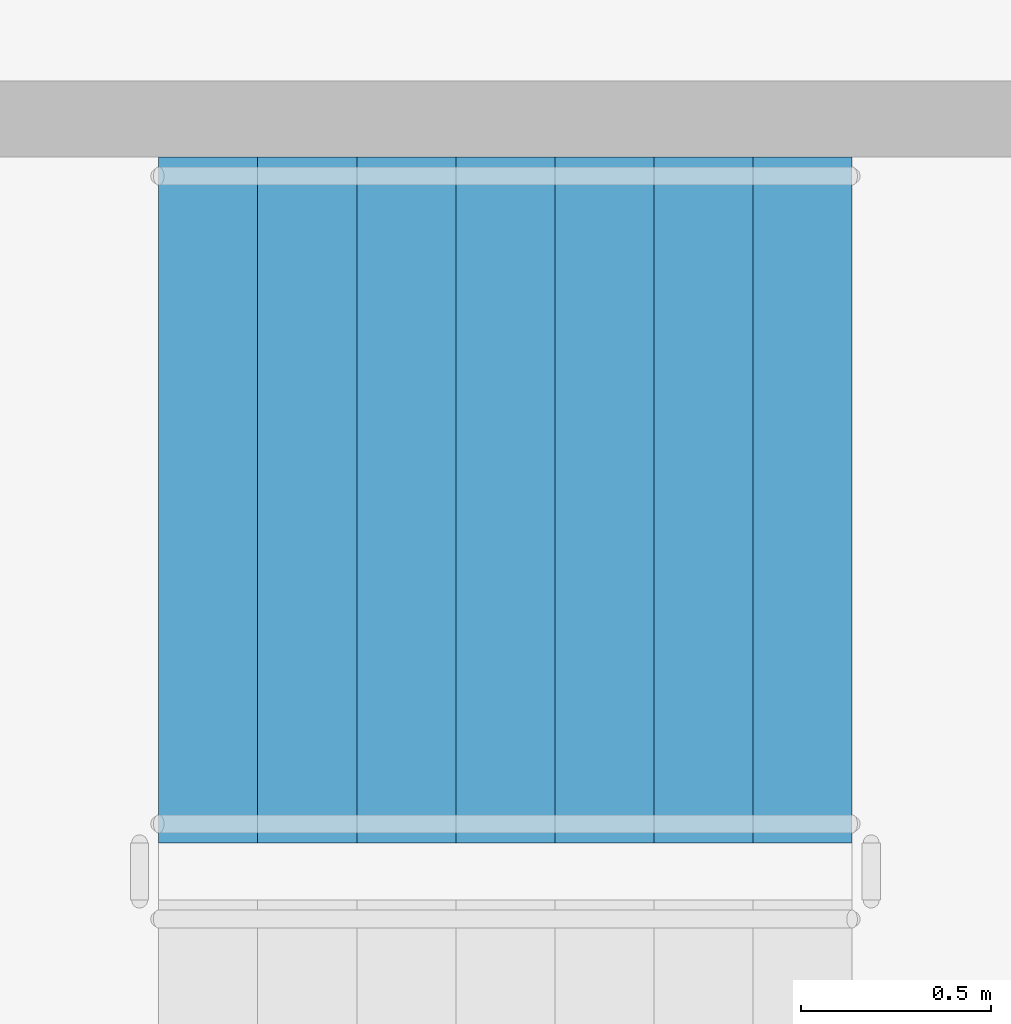
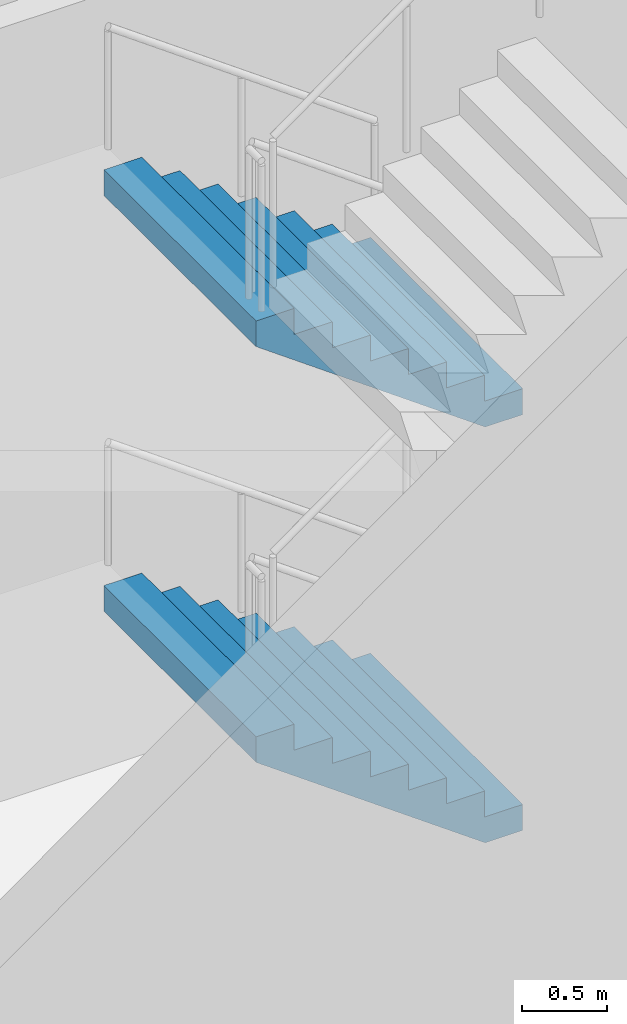
# One storey, part 57 of 75: 2 stair flights, 1 element without a shape of its own.
"""IFC4 building model written with IfcOpenShell, lengths in metres."""

from ifc_helpers import new_model, si_unit, direction, frame, origin, place, context, subcontext, project, spatial, faceted_brep, material, type_object, element, aggregate, save


model = new_model("IFC4")

# Units and contexts
model_context = context("Model", 3, precision=1e-05, world=origin(), true_north=direction((0.0, 1.0)))
body_context = subcontext(model_context, "Body", "Model", "MODEL_VIEW")
ifc_project = project(units=[si_unit("LENGTHUNIT", "METRE"), si_unit("AREAUNIT", "SQUARE_METRE"), si_unit("VOLUMEUNIT", "CUBIC_METRE"), si_unit("PLANEANGLEUNIT", "RADIAN"), si_unit("MASSUNIT", "GRAM", prefix="KILO")], contexts=[model_context])

# Site, building, storey
site_placement = place(None, origin())
site = spatial("IfcSite", under=ifc_project, at=site_placement, CompositionType="ELEMENT")
building_placement = place(site_placement, origin())
building = spatial("IfcBuilding", under=site, at=building_placement, Name="Ipe Terrace Towers", CompositionType="ELEMENT")
storey_placement = place(building_placement, origin())
storey = spatial("IfcBuildingStorey", under=building, at=storey_placement, Name="L00", CompositionType="ELEMENT", Elevation=0.0)

# Stair, stair flights
ifc_material_1 = material(Name="Concrete C30/37", Category="concrete")
stair_type = type_object("IfcStairType", Name="Protected exit stair", PredefinedType="HALF_TURN_STAIR", material=ifc_material_1)
stair_placement = place(storey_placement, origin())
stair = element("IfcStair", 1, at=stair_placement, inside=storey, type_object=stair_type, Name="L00 Podium exit stair PS2", PredefinedType="HALF_TURN_STAIR")
ifc_material_2 = material(Name="Concrete C30/37", Category="concrete")
stair_flight_type = type_object("IfcStairFlightType", Name="Exit stair flight 1800", PredefinedType="STRAIGHT", material=ifc_material_2)
stair_flight_1_placement = place(storey_placement, frame((-0.75, 25.5, 0.0), z_axis=(0.0, 0.0, 1.0), x_axis=(-1.0, 0.0, 0.0)))
stair_flight_1 = element("IfcStairFlight", 2, at=stair_flight_1_placement, type_object=stair_flight_type, Name="PS2 flight 1", NumberOfRisers=8, NumberOfTreads=7, PredefinedType="STRAIGHT", RiserHeight=0.1875, TreadLength=0.26, context=body_context, shape_type="Brep", body=[
    faceted_brep([(0.25634765625, -0.89990234375, 0.0), (1.820068359375, -0.89990234375, 1.127685546875), (1.820068359375, -0.89990234375, 1.3125), (1.56005859375, -0.89990234375, 1.3125), (1.56005859375, -0.89990234375, 1.125), (1.300048828125, -0.89990234375, 1.125), (1.300048828125, -0.89990234375, 0.9375), (1.0400390625, -0.89990234375, 0.9375), (1.0400390625, -0.89990234375, 0.75), (0.780029296875, -0.89990234375, 0.75), (0.780029296875, -0.89990234375, 0.5625), (0.52001953125, -0.89990234375, 0.5625), (0.52001953125, -0.89990234375, 0.375), (0.260009765625, -0.89990234375, 0.375), (0.260009765625, -0.89990234375, 0.1875), (0.0, -0.89990234375, 0.1875), (0.0, -0.89990234375, 0.0), (0.0, 0.89990234375, 0.0), (0.0, 0.89990234375, 0.1875), (0.260009765625, 0.89990234375, 0.1875), (0.260009765625, 0.89990234375, 0.375), (0.52001953125, 0.89990234375, 0.375), (0.52001953125, 0.89990234375, 0.5625), (0.780029296875, 0.89990234375, 0.5625), (0.780029296875, 0.89990234375, 0.75), (1.0400390625, 0.89990234375, 0.75), (1.0400390625, 0.89990234375, 0.9375), (1.300048828125, 0.89990234375, 0.9375), (1.300048828125, 0.89990234375, 1.125), (1.56005859375, 0.89990234375, 1.125), (1.56005859375, 0.89990234375, 1.3125), (1.820068359375, 0.89990234375, 1.3125), (1.820068359375, 0.89990234375, 1.127685546875), (0.25634765625, 0.89990234375, 0.0), (0.0, -0.300048828125, 0.1875), (0.0, -0.1201171875, 0.1875), (0.0, -0.06005859375, 0.1875), (0.0, -0.030029296875, 0.1875), (0.0, -0.010009765625, 0.1875), (0.0, 0.0, 0.1875), (0.0, 0.010009765625, 0.1875), (0.0, 0.030029296875, 0.1875), (0.0, 0.06005859375, 0.1875), (0.0, 0.1201171875, 0.1875), (0.0, 0.300048828125, 0.1875), (0.0, 0.300048828125, 0.0), (0.0, 0.1201171875, 0.0), (0.0, 0.06005859375, 0.0), (0.0, 0.030029296875, 0.0), (0.0, 0.010009765625, 0.0), (0.0, 0.0, 0.0), (0.0, -0.010009765625, 0.0), (0.0, -0.030029296875, 0.0), (0.0, -0.06005859375, 0.0), (0.0, -0.1201171875, 0.0), (0.0, -0.300048828125, 0.0), (0.260009765625, -0.300048828125, 0.1875), (0.260009765625, -0.1201171875, 0.1875), (0.260009765625, -0.06005859375, 0.1875), (0.260009765625, -0.030029296875, 0.1875), (0.260009765625, -0.010009765625, 0.1875), (0.260009765625, 0.0, 0.1875), (0.260009765625, 0.010009765625, 0.1875), (0.260009765625, 0.030029296875, 0.1875), (0.260009765625, 0.06005859375, 0.1875), (0.260009765625, 0.1201171875, 0.1875), (0.260009765625, 0.300048828125, 0.1875), (0.260009765625, -0.300048828125, 0.375), (0.260009765625, -0.1201171875, 0.375), (0.260009765625, -0.06005859375, 0.375), (0.260009765625, -0.030029296875, 0.375), (0.260009765625, -0.010009765625, 0.375), (0.260009765625, 0.0, 0.375), (0.260009765625, 0.010009765625, 0.375), (0.260009765625, 0.030029296875, 0.375), (0.260009765625, 0.06005859375, 0.375), (0.260009765625, 0.1201171875, 0.375), (0.260009765625, 0.300048828125, 0.375), (0.52001953125, -0.300048828125, 0.375), (0.52001953125, -0.1201171875, 0.375), (0.52001953125, -0.06005859375, 0.375), (0.52001953125, -0.030029296875, 0.375), (0.52001953125, -0.010009765625, 0.375), (0.52001953125, 0.0, 0.375), (0.52001953125, 0.010009765625, 0.375), (0.52001953125, 0.030029296875, 0.375), (0.52001953125, 0.06005859375, 0.375), (0.52001953125, 0.1201171875, 0.375), (0.52001953125, 0.300048828125, 0.375), (0.52001953125, -0.300048828125, 0.5625), (0.52001953125, -0.1201171875, 0.5625), (0.52001953125, -0.06005859375, 0.5625), (0.52001953125, -0.030029296875, 0.5625), (0.52001953125, -0.010009765625, 0.5625), (0.52001953125, 0.0, 0.5625), (0.52001953125, 0.010009765625, 0.5625), (0.52001953125, 0.030029296875, 0.5625), (0.52001953125, 0.06005859375, 0.5625), (0.52001953125, 0.1201171875, 0.5625), (0.52001953125, 0.300048828125, 0.5625), (0.780029296875, -0.300048828125, 0.5625), (0.780029296875, -0.1201171875, 0.5625), (0.780029296875, -0.06005859375, 0.5625), (0.780029296875, -0.030029296875, 0.5625), (0.780029296875, -0.010009765625, 0.5625), (0.780029296875, 0.0, 0.5625), (0.780029296875, 0.010009765625, 0.5625), (0.780029296875, 0.030029296875, 0.5625), (0.780029296875, 0.06005859375, 0.5625), (0.780029296875, 0.1201171875, 0.5625), (0.780029296875, 0.300048828125, 0.5625), (0.780029296875, -0.300048828125, 0.75), (0.780029296875, -0.1201171875, 0.75), (0.780029296875, -0.06005859375, 0.75), (0.780029296875, -0.030029296875, 0.75), (0.780029296875, -0.010009765625, 0.75), (0.780029296875, 0.0, 0.75), (0.780029296875, 0.010009765625, 0.75), (0.780029296875, 0.030029296875, 0.75), (0.780029296875, 0.06005859375, 0.75), (0.780029296875, 0.1201171875, 0.75), (0.780029296875, 0.300048828125, 0.75), (1.0400390625, -0.300048828125, 0.75), (1.0400390625, -0.1201171875, 0.75), (1.0400390625, -0.06005859375, 0.75), (1.0400390625, -0.030029296875, 0.75), (1.0400390625, -0.010009765625, 0.75), (1.0400390625, 0.0, 0.75), (1.0400390625, 0.010009765625, 0.75), (1.0400390625, 0.030029296875, 0.75), (1.0400390625, 0.06005859375, 0.75), (1.0400390625, 0.1201171875, 0.75), (1.0400390625, 0.300048828125, 0.75), (1.0400390625, -0.300048828125, 0.9375), (1.0400390625, -0.1201171875, 0.9375), (1.0400390625, -0.06005859375, 0.9375), (1.0400390625, -0.030029296875, 0.9375), (1.0400390625, -0.010009765625, 0.9375), (1.0400390625, 0.0, 0.9375), (1.0400390625, 0.010009765625, 0.9375), (1.0400390625, 0.030029296875, 0.9375), (1.0400390625, 0.06005859375, 0.9375), (1.0400390625, 0.1201171875, 0.9375), (1.0400390625, 0.300048828125, 0.9375), (1.300048828125, -0.300048828125, 0.9375), (1.300048828125, -0.1201171875, 0.9375), (1.300048828125, -0.06005859375, 0.9375), (1.300048828125, -0.030029296875, 0.9375), (1.300048828125, -0.010009765625, 0.9375), (1.300048828125, 0.0, 0.9375), (1.300048828125, 0.010009765625, 0.9375), (1.300048828125, 0.030029296875, 0.9375), (1.300048828125, 0.06005859375, 0.9375), (1.300048828125, 0.1201171875, 0.9375), (1.300048828125, 0.300048828125, 0.9375), (1.300048828125, -0.300048828125, 1.125), (1.300048828125, -0.1201171875, 1.125), (1.300048828125, -0.06005859375, 1.125), (1.300048828125, -0.030029296875, 1.125), (1.300048828125, -0.010009765625, 1.125), (1.300048828125, 0.0, 1.125), (1.300048828125, 0.010009765625, 1.125), (1.300048828125, 0.030029296875, 1.125), (1.300048828125, 0.06005859375, 1.125), (1.300048828125, 0.1201171875, 1.125), (1.300048828125, 0.300048828125, 1.125), (1.56005859375, -0.300048828125, 1.125), (1.56005859375, -0.1201171875, 1.125), (1.56005859375, -0.06005859375, 1.125), (1.56005859375, -0.030029296875, 1.125), (1.56005859375, -0.010009765625, 1.125), (1.56005859375, 0.0, 1.125), (1.56005859375, 0.010009765625, 1.125), (1.56005859375, 0.030029296875, 1.125), (1.56005859375, 0.06005859375, 1.125), (1.56005859375, 0.1201171875, 1.125), (1.56005859375, 0.300048828125, 1.125), (1.56005859375, -0.300048828125, 1.3125), (1.56005859375, -0.1201171875, 1.3125), (1.56005859375, -0.06005859375, 1.3125), (1.56005859375, -0.030029296875, 1.3125), (1.56005859375, -0.010009765625, 1.3125), (1.56005859375, 0.0, 1.3125), (1.56005859375, 0.010009765625, 1.3125), (1.56005859375, 0.030029296875, 1.3125), (1.56005859375, 0.06005859375, 1.3125), (1.56005859375, 0.1201171875, 1.3125), (1.56005859375, 0.300048828125, 1.3125), (1.820068359375, -0.300048828125, 1.3125), (1.820068359375, -0.1201171875, 1.3125), (1.820068359375, -0.06005859375, 1.3125), (1.820068359375, -0.030029296875, 1.3125), (1.820068359375, -0.010009765625, 1.3125), (1.820068359375, 0.0, 1.3125), (1.820068359375, 0.010009765625, 1.3125), (1.820068359375, 0.030029296875, 1.3125), (1.820068359375, 0.06005859375, 1.3125), (1.820068359375, 0.1201171875, 1.3125), (1.820068359375, 0.300048828125, 1.3125), (1.820068359375, -0.300048828125, 1.127685546875), (1.820068359375, -0.1201171875, 1.127685546875), (1.820068359375, -0.06005859375, 1.127685546875), (1.820068359375, -0.030029296875, 1.127685546875), (1.820068359375, -0.010009765625, 1.127685546875), (1.820068359375, 0.0, 1.127685546875), (1.820068359375, 0.010009765625, 1.127685546875), (1.820068359375, 0.030029296875, 1.127685546875), (1.820068359375, 0.06005859375, 1.127685546875), (1.820068359375, 0.1201171875, 1.127685546875), (1.820068359375, 0.300048828125, 1.127685546875), (0.25634765625, -0.300048828125, 0.0), (0.25634765625, -0.1201171875, 0.0), (0.25634765625, -0.06005859375, 0.0), (0.25634765625, -0.030029296875, 0.0), (0.25634765625, -0.010009765625, 0.0), (0.25634765625, 0.0, 0.0), (0.25634765625, 0.010009765625, 0.0), (0.25634765625, 0.030029296875, 0.0), (0.25634765625, 0.06005859375, 0.0), (0.25634765625, 0.1201171875, 0.0), (0.25634765625, 0.300048828125, 0.0)], [[[0, 1, 2, 3, 4, 5, 6, 7, 8, 9, 10, 11, 12, 13, 14, 15, 16]], [[17, 18, 19, 20, 21, 22, 23, 24, 25, 26, 27, 28, 29, 30, 31, 32, 33]], [[15, 34, 35, 36, 37, 38, 39, 40, 41, 42, 43, 44, 18, 17, 45, 46, 47, 48, 49, 50, 51, 52, 53, 54, 55, 16]], [[14, 56, 57, 58, 59, 60, 61, 62, 63, 64, 65, 66, 19, 18, 44, 43, 42, 41, 40, 39, 38, 37, 36, 35, 34, 15]], [[13, 67, 68, 69, 70, 71, 72, 73, 74, 75, 76, 77, 20, 19, 66, 65, 64, 63, 62, 61, 60, 59, 58, 57, 56, 14]], [[12, 78, 79, 80, 81, 82, 83, 84, 85, 86, 87, 88, 21, 20, 77, 76, 75, 74, 73, 72, 71, 70, 69, 68, 67, 13]], [[11, 89, 90, 91, 92, 93, 94, 95, 96, 97, 98, 99, 22, 21, 88, 87, 86, 85, 84, 83, 82, 81, 80, 79, 78, 12]], [[10, 100, 101, 102, 103, 104, 105, 106, 107, 108, 109, 110, 23, 22, 99, 98, 97, 96, 95, 94, 93, 92, 91, 90, 89, 11]], [[9, 111, 112, 113, 114, 115, 116, 117, 118, 119, 120, 121, 24, 23, 110, 109, 108, 107, 106, 105, 104, 103, 102, 101, 100, 10]], [[8, 122, 123, 124, 125, 126, 127, 128, 129, 130, 131, 132, 25, 24, 121, 120, 119, 118, 117, 116, 115, 114, 113, 112, 111, 9]], [[7, 133, 134, 135, 136, 137, 138, 139, 140, 141, 142, 143, 26, 25, 132, 131, 130, 129, 128, 127, 126, 125, 124, 123, 122, 8]], [[6, 144, 145, 146, 147, 148, 149, 150, 151, 152, 153, 154, 27, 26, 143, 142, 141, 140, 139, 138, 137, 136, 135, 134, 133, 7]], [[5, 155, 156, 157, 158, 159, 160, 161, 162, 163, 164, 165, 28, 27, 154, 153, 152, 151, 150, 149, 148, 147, 146, 145, 144, 6]], [[4, 166, 167, 168, 169, 170, 171, 172, 173, 174, 175, 176, 29, 28, 165, 164, 163, 162, 161, 160, 159, 158, 157, 156, 155, 5]], [[3, 177, 178, 179, 180, 181, 182, 183, 184, 185, 186, 187, 30, 29, 176, 175, 174, 173, 172, 171, 170, 169, 168, 167, 166, 4]], [[2, 188, 189, 190, 191, 192, 193, 194, 195, 196, 197, 198, 31, 30, 187, 186, 185, 184, 183, 182, 181, 180, 179, 178, 177, 3]], [[1, 199, 200, 201, 202, 203, 204, 205, 206, 207, 208, 209, 32, 31, 198, 197, 196, 195, 194, 193, 192, 191, 190, 189, 188, 2]], [[0, 210, 211, 212, 213, 214, 215, 216, 217, 218, 219, 220, 33, 32, 209, 208, 207, 206, 205, 204, 203, 202, 201, 200, 199, 1]], [[16, 55, 54, 53, 52, 51, 50, 49, 48, 47, 46, 45, 17, 33, 220, 219, 218, 217, 216, 215, 214, 213, 212, 211, 210, 0]]]),
])
stair_flight_2_placement = place(storey_placement, frame((-0.75, 25.5, 3.0), z_axis=(0.0, 0.0, 1.0), x_axis=(-1.0, 0.0, 0.0)))
stair_flight_2 = element("IfcStairFlight", 3, at=stair_flight_2_placement, type_object=stair_flight_type, Name="PS2 flight 3", NumberOfRisers=8, NumberOfTreads=7, PredefinedType="STRAIGHT", RiserHeight=0.1875, TreadLength=0.26, context=body_context, shape_type="Brep", body=[
    faceted_brep([(0.25634765625, -0.89990234375, 0.0), (1.820068359375, -0.89990234375, 1.127685546875), (1.820068359375, -0.89990234375, 1.3125), (1.56005859375, -0.89990234375, 1.3125), (1.56005859375, -0.89990234375, 1.125), (1.300048828125, -0.89990234375, 1.125), (1.300048828125, -0.89990234375, 0.9375), (1.0400390625, -0.89990234375, 0.9375), (1.0400390625, -0.89990234375, 0.75), (0.780029296875, -0.89990234375, 0.75), (0.780029296875, -0.89990234375, 0.5625), (0.52001953125, -0.89990234375, 0.5625), (0.52001953125, -0.89990234375, 0.375), (0.260009765625, -0.89990234375, 0.375), (0.260009765625, -0.89990234375, 0.1875), (0.0, -0.89990234375, 0.1875), (0.0, -0.89990234375, 0.0), (0.0, 0.89990234375, 0.0), (0.0, 0.89990234375, 0.1875), (0.260009765625, 0.89990234375, 0.1875), (0.260009765625, 0.89990234375, 0.375), (0.52001953125, 0.89990234375, 0.375), (0.52001953125, 0.89990234375, 0.5625), (0.780029296875, 0.89990234375, 0.5625), (0.780029296875, 0.89990234375, 0.75), (1.0400390625, 0.89990234375, 0.75), (1.0400390625, 0.89990234375, 0.9375), (1.300048828125, 0.89990234375, 0.9375), (1.300048828125, 0.89990234375, 1.125), (1.56005859375, 0.89990234375, 1.125), (1.56005859375, 0.89990234375, 1.3125), (1.820068359375, 0.89990234375, 1.3125), (1.820068359375, 0.89990234375, 1.127685546875), (0.25634765625, 0.89990234375, 0.0), (0.0, -0.300048828125, 0.1875), (0.0, -0.1201171875, 0.1875), (0.0, -0.06005859375, 0.1875), (0.0, -0.030029296875, 0.1875), (0.0, -0.010009765625, 0.1875), (0.0, 0.0, 0.1875), (0.0, 0.010009765625, 0.1875), (0.0, 0.030029296875, 0.1875), (0.0, 0.06005859375, 0.1875), (0.0, 0.1201171875, 0.1875), (0.0, 0.300048828125, 0.1875), (0.0, 0.300048828125, 0.0), (0.0, 0.1201171875, 0.0), (0.0, 0.06005859375, 0.0), (0.0, 0.030029296875, 0.0), (0.0, 0.010009765625, 0.0), (0.0, 0.0, 0.0), (0.0, -0.010009765625, 0.0), (0.0, -0.030029296875, 0.0), (0.0, -0.06005859375, 0.0), (0.0, -0.1201171875, 0.0), (0.0, -0.300048828125, 0.0), (0.260009765625, -0.300048828125, 0.1875), (0.260009765625, -0.1201171875, 0.1875), (0.260009765625, -0.06005859375, 0.1875), (0.260009765625, -0.030029296875, 0.1875), (0.260009765625, -0.010009765625, 0.1875), (0.260009765625, 0.0, 0.1875), (0.260009765625, 0.010009765625, 0.1875), (0.260009765625, 0.030029296875, 0.1875), (0.260009765625, 0.06005859375, 0.1875), (0.260009765625, 0.1201171875, 0.1875), (0.260009765625, 0.300048828125, 0.1875), (0.260009765625, -0.300048828125, 0.375), (0.260009765625, -0.1201171875, 0.375), (0.260009765625, -0.06005859375, 0.375), (0.260009765625, -0.030029296875, 0.375), (0.260009765625, -0.010009765625, 0.375), (0.260009765625, 0.0, 0.375), (0.260009765625, 0.010009765625, 0.375), (0.260009765625, 0.030029296875, 0.375), (0.260009765625, 0.06005859375, 0.375), (0.260009765625, 0.1201171875, 0.375), (0.260009765625, 0.300048828125, 0.375), (0.52001953125, -0.300048828125, 0.375), (0.52001953125, -0.1201171875, 0.375), (0.52001953125, -0.06005859375, 0.375), (0.52001953125, -0.030029296875, 0.375), (0.52001953125, -0.010009765625, 0.375), (0.52001953125, 0.0, 0.375), (0.52001953125, 0.010009765625, 0.375), (0.52001953125, 0.030029296875, 0.375), (0.52001953125, 0.06005859375, 0.375), (0.52001953125, 0.1201171875, 0.375), (0.52001953125, 0.300048828125, 0.375), (0.52001953125, -0.300048828125, 0.5625), (0.52001953125, -0.1201171875, 0.5625), (0.52001953125, -0.06005859375, 0.5625), (0.52001953125, -0.030029296875, 0.5625), (0.52001953125, -0.010009765625, 0.5625), (0.52001953125, 0.0, 0.5625), (0.52001953125, 0.010009765625, 0.5625), (0.52001953125, 0.030029296875, 0.5625), (0.52001953125, 0.06005859375, 0.5625), (0.52001953125, 0.1201171875, 0.5625), (0.52001953125, 0.300048828125, 0.5625), (0.780029296875, -0.300048828125, 0.5625), (0.780029296875, -0.1201171875, 0.5625), (0.780029296875, -0.06005859375, 0.5625), (0.780029296875, -0.030029296875, 0.5625), (0.780029296875, -0.010009765625, 0.5625), (0.780029296875, 0.0, 0.5625), (0.780029296875, 0.010009765625, 0.5625), (0.780029296875, 0.030029296875, 0.5625), (0.780029296875, 0.06005859375, 0.5625), (0.780029296875, 0.1201171875, 0.5625), (0.780029296875, 0.300048828125, 0.5625), (0.780029296875, -0.300048828125, 0.75), (0.780029296875, -0.1201171875, 0.75), (0.780029296875, -0.06005859375, 0.75), (0.780029296875, -0.030029296875, 0.75), (0.780029296875, -0.010009765625, 0.75), (0.780029296875, 0.0, 0.75), (0.780029296875, 0.010009765625, 0.75), (0.780029296875, 0.030029296875, 0.75), (0.780029296875, 0.06005859375, 0.75), (0.780029296875, 0.1201171875, 0.75), (0.780029296875, 0.300048828125, 0.75), (1.0400390625, -0.300048828125, 0.75), (1.0400390625, -0.1201171875, 0.75), (1.0400390625, -0.06005859375, 0.75), (1.0400390625, -0.030029296875, 0.75), (1.0400390625, -0.010009765625, 0.75), (1.0400390625, 0.0, 0.75), (1.0400390625, 0.010009765625, 0.75), (1.0400390625, 0.030029296875, 0.75), (1.0400390625, 0.06005859375, 0.75), (1.0400390625, 0.1201171875, 0.75), (1.0400390625, 0.300048828125, 0.75), (1.0400390625, -0.300048828125, 0.9375), (1.0400390625, -0.1201171875, 0.9375), (1.0400390625, -0.06005859375, 0.9375), (1.0400390625, -0.030029296875, 0.9375), (1.0400390625, -0.010009765625, 0.9375), (1.0400390625, 0.0, 0.9375), (1.0400390625, 0.010009765625, 0.9375), (1.0400390625, 0.030029296875, 0.9375), (1.0400390625, 0.06005859375, 0.9375), (1.0400390625, 0.1201171875, 0.9375), (1.0400390625, 0.300048828125, 0.9375), (1.300048828125, -0.300048828125, 0.9375), (1.300048828125, -0.1201171875, 0.9375), (1.300048828125, -0.06005859375, 0.9375), (1.300048828125, -0.030029296875, 0.9375), (1.300048828125, -0.010009765625, 0.9375), (1.300048828125, 0.0, 0.9375), (1.300048828125, 0.010009765625, 0.9375), (1.300048828125, 0.030029296875, 0.9375), (1.300048828125, 0.06005859375, 0.9375), (1.300048828125, 0.1201171875, 0.9375), (1.300048828125, 0.300048828125, 0.9375), (1.300048828125, -0.300048828125, 1.125), (1.300048828125, -0.1201171875, 1.125), (1.300048828125, -0.06005859375, 1.125), (1.300048828125, -0.030029296875, 1.125), (1.300048828125, -0.010009765625, 1.125), (1.300048828125, 0.0, 1.125), (1.300048828125, 0.010009765625, 1.125), (1.300048828125, 0.030029296875, 1.125), (1.300048828125, 0.06005859375, 1.125), (1.300048828125, 0.1201171875, 1.125), (1.300048828125, 0.300048828125, 1.125), (1.56005859375, -0.300048828125, 1.125), (1.56005859375, -0.1201171875, 1.125), (1.56005859375, -0.06005859375, 1.125), (1.56005859375, -0.030029296875, 1.125), (1.56005859375, -0.010009765625, 1.125), (1.56005859375, 0.0, 1.125), (1.56005859375, 0.010009765625, 1.125), (1.56005859375, 0.030029296875, 1.125), (1.56005859375, 0.06005859375, 1.125), (1.56005859375, 0.1201171875, 1.125), (1.56005859375, 0.300048828125, 1.125), (1.56005859375, -0.300048828125, 1.3125), (1.56005859375, -0.1201171875, 1.3125), (1.56005859375, -0.06005859375, 1.3125), (1.56005859375, -0.030029296875, 1.3125), (1.56005859375, -0.010009765625, 1.3125), (1.56005859375, 0.0, 1.3125), (1.56005859375, 0.010009765625, 1.3125), (1.56005859375, 0.030029296875, 1.3125), (1.56005859375, 0.06005859375, 1.3125), (1.56005859375, 0.1201171875, 1.3125), (1.56005859375, 0.300048828125, 1.3125), (1.820068359375, -0.300048828125, 1.3125), (1.820068359375, -0.1201171875, 1.3125), (1.820068359375, -0.06005859375, 1.3125), (1.820068359375, -0.030029296875, 1.3125), (1.820068359375, -0.010009765625, 1.3125), (1.820068359375, 0.0, 1.3125), (1.820068359375, 0.010009765625, 1.3125), (1.820068359375, 0.030029296875, 1.3125), (1.820068359375, 0.06005859375, 1.3125), (1.820068359375, 0.1201171875, 1.3125), (1.820068359375, 0.300048828125, 1.3125), (1.820068359375, -0.300048828125, 1.127685546875), (1.820068359375, -0.1201171875, 1.127685546875), (1.820068359375, -0.06005859375, 1.127685546875), (1.820068359375, -0.030029296875, 1.127685546875), (1.820068359375, -0.010009765625, 1.127685546875), (1.820068359375, 0.0, 1.127685546875), (1.820068359375, 0.010009765625, 1.127685546875), (1.820068359375, 0.030029296875, 1.127685546875), (1.820068359375, 0.06005859375, 1.127685546875), (1.820068359375, 0.1201171875, 1.127685546875), (1.820068359375, 0.300048828125, 1.127685546875), (0.25634765625, -0.300048828125, 0.0), (0.25634765625, -0.1201171875, 0.0), (0.25634765625, -0.06005859375, 0.0), (0.25634765625, -0.030029296875, 0.0), (0.25634765625, -0.010009765625, 0.0), (0.25634765625, 0.0, 0.0), (0.25634765625, 0.010009765625, 0.0), (0.25634765625, 0.030029296875, 0.0), (0.25634765625, 0.06005859375, 0.0), (0.25634765625, 0.1201171875, 0.0), (0.25634765625, 0.300048828125, 0.0)], [[[0, 1, 2, 3, 4, 5, 6, 7, 8, 9, 10, 11, 12, 13, 14, 15, 16]], [[17, 18, 19, 20, 21, 22, 23, 24, 25, 26, 27, 28, 29, 30, 31, 32, 33]], [[15, 34, 35, 36, 37, 38, 39, 40, 41, 42, 43, 44, 18, 17, 45, 46, 47, 48, 49, 50, 51, 52, 53, 54, 55, 16]], [[14, 56, 57, 58, 59, 60, 61, 62, 63, 64, 65, 66, 19, 18, 44, 43, 42, 41, 40, 39, 38, 37, 36, 35, 34, 15]], [[13, 67, 68, 69, 70, 71, 72, 73, 74, 75, 76, 77, 20, 19, 66, 65, 64, 63, 62, 61, 60, 59, 58, 57, 56, 14]], [[12, 78, 79, 80, 81, 82, 83, 84, 85, 86, 87, 88, 21, 20, 77, 76, 75, 74, 73, 72, 71, 70, 69, 68, 67, 13]], [[11, 89, 90, 91, 92, 93, 94, 95, 96, 97, 98, 99, 22, 21, 88, 87, 86, 85, 84, 83, 82, 81, 80, 79, 78, 12]], [[10, 100, 101, 102, 103, 104, 105, 106, 107, 108, 109, 110, 23, 22, 99, 98, 97, 96, 95, 94, 93, 92, 91, 90, 89, 11]], [[9, 111, 112, 113, 114, 115, 116, 117, 118, 119, 120, 121, 24, 23, 110, 109, 108, 107, 106, 105, 104, 103, 102, 101, 100, 10]], [[8, 122, 123, 124, 125, 126, 127, 128, 129, 130, 131, 132, 25, 24, 121, 120, 119, 118, 117, 116, 115, 114, 113, 112, 111, 9]], [[7, 133, 134, 135, 136, 137, 138, 139, 140, 141, 142, 143, 26, 25, 132, 131, 130, 129, 128, 127, 126, 125, 124, 123, 122, 8]], [[6, 144, 145, 146, 147, 148, 149, 150, 151, 152, 153, 154, 27, 26, 143, 142, 141, 140, 139, 138, 137, 136, 135, 134, 133, 7]], [[5, 155, 156, 157, 158, 159, 160, 161, 162, 163, 164, 165, 28, 27, 154, 153, 152, 151, 150, 149, 148, 147, 146, 145, 144, 6]], [[4, 166, 167, 168, 169, 170, 171, 172, 173, 174, 175, 176, 29, 28, 165, 164, 163, 162, 161, 160, 159, 158, 157, 156, 155, 5]], [[3, 177, 178, 179, 180, 181, 182, 183, 184, 185, 186, 187, 30, 29, 176, 175, 174, 173, 172, 171, 170, 169, 168, 167, 166, 4]], [[2, 188, 189, 190, 191, 192, 193, 194, 195, 196, 197, 198, 31, 30, 187, 186, 185, 184, 183, 182, 181, 180, 179, 178, 177, 3]], [[1, 199, 200, 201, 202, 203, 204, 205, 206, 207, 208, 209, 32, 31, 198, 197, 196, 195, 194, 193, 192, 191, 190, 189, 188, 2]], [[0, 210, 211, 212, 213, 214, 215, 216, 217, 218, 219, 220, 33, 32, 209, 208, 207, 206, 205, 204, 203, 202, 201, 200, 199, 1]], [[16, 55, 54, 53, 52, 51, 50, 49, 48, 47, 46, 45, 17, 33, 220, 219, 218, 217, 216, 215, 214, 213, 212, 211, 210, 0]]]),
])
aggregate(stair, [stair_flight_1, stair_flight_2])

save(model, "model.ifc")
